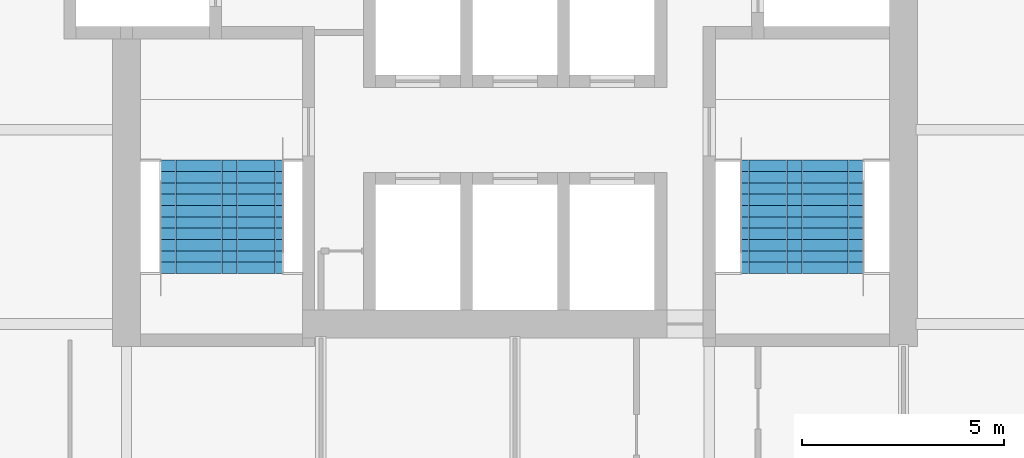
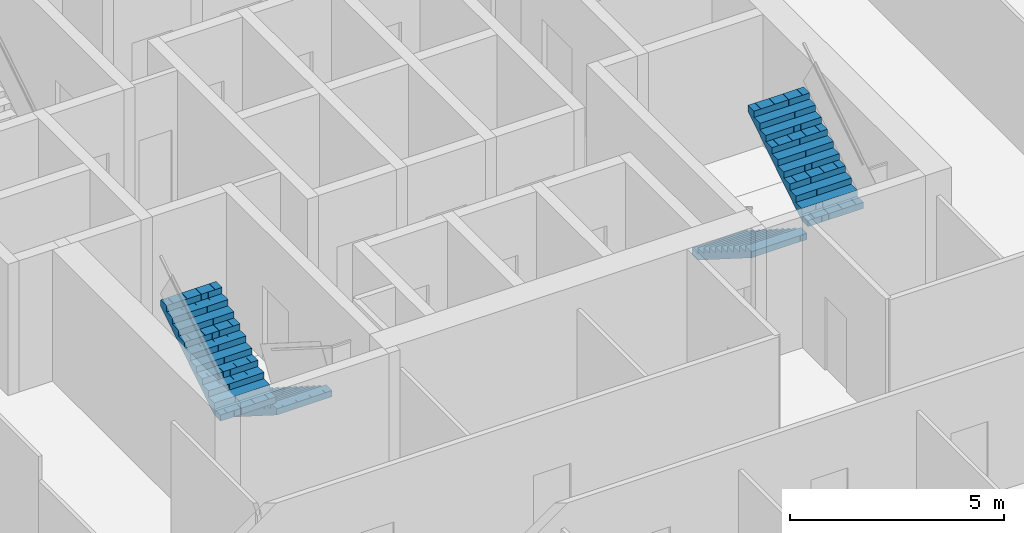
# One storey, part 12 of 15: 4 stair flights, 2 elements without a shape of their own.
"""IFC4 building model written with IfcOpenShell, lengths in metres."""

from ifc_helpers import new_model, si_unit, direction, frame, origin, place, context, subcontext, project, spatial, polyline, outline, extrude, material, type_object, element, aggregate, save


model = new_model("IFC4")

# Units and contexts
model_context = context("Model", 3, precision=1e-05, world=origin(), true_north=direction((0.0, 1.0)))
body_context = subcontext(model_context, "Body", "Model", "MODEL_VIEW")
ifc_project = project(units=[si_unit("LENGTHUNIT", "METRE"), si_unit("AREAUNIT", "SQUARE_METRE"), si_unit("VOLUMEUNIT", "CUBIC_METRE"), si_unit("PLANEANGLEUNIT", "RADIAN"), si_unit("MASSUNIT", "GRAM", prefix="KILO")], contexts=[model_context])

# Site, building, storey
site_placement = place(None, origin())
site = spatial("IfcSite", under=ifc_project, at=site_placement, CompositionType="ELEMENT")
building_placement = place(site_placement, origin())
building = spatial("IfcBuilding", under=site, at=building_placement, Name="Kolab Exchange Tower", CompositionType="ELEMENT")
storey_placement = place(building_placement, frame((0.0, 0.0, 138.800048828125)))
storey = spatial("IfcBuildingStorey", under=building, at=storey_placement, Name="L27", CompositionType="ELEMENT", Elevation=138.800048828125)

# Stair, stair flights
ifc_material = material(Name="Concrete C50/60", Category="concrete")
stair_type_1 = type_object("IfcStairType", Name="STAIR ST3 RISER 177.3", PredefinedType="HALF_TURN_STAIR", material=ifc_material)
stair_1_placement = place(storey_placement, origin())
stair_1 = element("IfcStair", 1, at=stair_1_placement, inside=storey, type_object=stair_type_1, Name="Stair 3", PredefinedType="HALF_TURN_STAIR")
stair_flight_type = type_object("IfcStairFlightType", Name="STAIR FLIGHT 1500 RISER 177.3", PredefinedType="STRAIGHT", material=ifc_material)
stair_flight_1_placement = place(storey_placement, frame((-6.489990234375, -5.550048828125, 0.0), z_axis=(0.0, 0.0, 1.0), x_axis=(0.0, -1.0, 0.0)))
stair_flight_1 = element("IfcStairFlight", 2, at=stair_flight_1_placement, type_object=stair_flight_type, Name="ST3 flight 1", NumberOfRisers=11, NumberOfTreads=10, PredefinedType="STRAIGHT", RiserHeight=0.177272727, TreadLength=0.28, context=body_context, shape_type="SweptSolid", body=[
    extrude(outline(polyline([(0.0, 0.0), (0.0, 0.17724609375), (0.280029296875, 0.17724609375), (0.280029296875, 0.3544921875), (0.56005859375, 0.3544921875), (0.56005859375, 0.53173828125), (0.840087890625, 0.53173828125), (0.840087890625, 0.708984375), (1.1201171875, 0.708984375), (1.1201171875, 0.886474609375), (1.39990234375, 0.886474609375), (1.39990234375, 1.063720703125), (1.679931640625, 1.063720703125), (1.679931640625, 1.240966796875), (1.9599609375, 1.240966796875), (1.9599609375, 1.418212890625), (2.239990234375, 1.418212890625), (2.239990234375, 1.595458984375), (2.52001953125, 1.595458984375), (2.52001953125, 1.772705078125), (2.800048828125, 1.772705078125), (2.800048828125, 1.949951171875), (2.800048828125, 1.59521484375), (0.2802734375, 0.0), (0.0, 0.0)])), frame((0.0, 0.75, 0.0), z_axis=(0.0, -1.0, 0.0), x_axis=(1.0, 0.0, 0.0)), (0.0, 0.0, 1.0), 0.185791015625),
    extrude(outline(polyline([(0.0, 0.0), (0.0, 0.17724609375), (0.280029296875, 0.17724609375), (0.280029296875, 0.3544921875), (0.56005859375, 0.3544921875), (0.56005859375, 0.53173828125), (0.840087890625, 0.53173828125), (0.840087890625, 0.708984375), (1.1201171875, 0.708984375), (1.1201171875, 0.886474609375), (1.39990234375, 0.886474609375), (1.39990234375, 1.063720703125), (1.679931640625, 1.063720703125), (1.679931640625, 1.240966796875), (1.9599609375, 1.240966796875), (1.9599609375, 1.418212890625), (2.239990234375, 1.418212890625), (2.239990234375, 1.595458984375), (2.52001953125, 1.595458984375), (2.52001953125, 1.772705078125), (2.800048828125, 1.772705078125), (2.800048828125, 1.949951171875), (2.800048828125, 1.59521484375), (0.2802734375, 0.0), (0.0, 0.0)])), frame((0.0, 0.562255859375, 0.0), z_axis=(0.0, -1.0, 0.0), x_axis=(1.0, 0.0, 0.0)), (0.0, 0.0, 1.0), 0.185791015625),
    extrude(outline(polyline([(0.0, 0.0), (0.0, 0.17724609375), (0.280029296875, 0.17724609375), (0.280029296875, 0.3544921875), (0.56005859375, 0.3544921875), (0.56005859375, 0.53173828125), (0.840087890625, 0.53173828125), (0.840087890625, 0.708984375), (1.1201171875, 0.708984375), (1.1201171875, 0.886474609375), (1.39990234375, 0.886474609375), (1.39990234375, 1.063720703125), (1.679931640625, 1.063720703125), (1.679931640625, 1.240966796875), (1.9599609375, 1.240966796875), (1.9599609375, 1.418212890625), (2.239990234375, 1.418212890625), (2.239990234375, 1.595458984375), (2.52001953125, 1.595458984375), (2.52001953125, 1.772705078125), (2.800048828125, 1.772705078125), (2.800048828125, 1.949951171875), (2.800048828125, 1.59521484375), (0.2802734375, 0.0), (0.0, 0.0)])), frame((0.0, 0.37451171875, 0.0), z_axis=(0.0, -1.0, 0.0), x_axis=(1.0, 0.0, 0.0)), (0.0, 0.0, 1.0), 0.185791015625),
    extrude(outline(polyline([(0.0, 0.0), (0.0, 0.17724609375), (0.280029296875, 0.17724609375), (0.280029296875, 0.3544921875), (0.56005859375, 0.3544921875), (0.56005859375, 0.53173828125), (0.840087890625, 0.53173828125), (0.840087890625, 0.708984375), (1.1201171875, 0.708984375), (1.1201171875, 0.886474609375), (1.39990234375, 0.886474609375), (1.39990234375, 1.063720703125), (1.679931640625, 1.063720703125), (1.679931640625, 1.240966796875), (1.9599609375, 1.240966796875), (1.9599609375, 1.418212890625), (2.239990234375, 1.418212890625), (2.239990234375, 1.595458984375), (2.52001953125, 1.595458984375), (2.52001953125, 1.772705078125), (2.800048828125, 1.772705078125), (2.800048828125, 1.949951171875), (2.800048828125, 1.59521484375), (0.2802734375, 0.0), (0.0, 0.0)])), frame((0.0, 0.186767578125, 0.0), z_axis=(0.0, -1.0, 0.0), x_axis=(1.0, 0.0, 0.0)), (0.0, 0.0, 1.0), 0.185791015625),
    extrude(outline(polyline([(0.0, 0.0), (0.0, 0.17724609375), (0.280029296875, 0.17724609375), (0.280029296875, 0.3544921875), (0.56005859375, 0.3544921875), (0.56005859375, 0.53173828125), (0.840087890625, 0.53173828125), (0.840087890625, 0.708984375), (1.1201171875, 0.708984375), (1.1201171875, 0.886474609375), (1.39990234375, 0.886474609375), (1.39990234375, 1.063720703125), (1.679931640625, 1.063720703125), (1.679931640625, 1.240966796875), (1.9599609375, 1.240966796875), (1.9599609375, 1.418212890625), (2.239990234375, 1.418212890625), (2.239990234375, 1.595458984375), (2.52001953125, 1.595458984375), (2.52001953125, 1.772705078125), (2.800048828125, 1.772705078125), (2.800048828125, 1.949951171875), (2.800048828125, 1.59521484375), (0.2802734375, 0.0), (0.0, 0.0)])), frame((0.0, -0.0009765625, 0.0), z_axis=(0.0, -1.0, 0.0), x_axis=(1.0, 0.0, 0.0)), (0.0, 0.0, 1.0), 0.185791015625),
    extrude(outline(polyline([(0.0, 0.0), (0.0, 0.17724609375), (0.280029296875, 0.17724609375), (0.280029296875, 0.3544921875), (0.56005859375, 0.3544921875), (0.56005859375, 0.53173828125), (0.840087890625, 0.53173828125), (0.840087890625, 0.708984375), (1.1201171875, 0.708984375), (1.1201171875, 0.886474609375), (1.39990234375, 0.886474609375), (1.39990234375, 1.063720703125), (1.679931640625, 1.063720703125), (1.679931640625, 1.240966796875), (1.9599609375, 1.240966796875), (1.9599609375, 1.418212890625), (2.239990234375, 1.418212890625), (2.239990234375, 1.595458984375), (2.52001953125, 1.595458984375), (2.52001953125, 1.772705078125), (2.800048828125, 1.772705078125), (2.800048828125, 1.949951171875), (2.800048828125, 1.59521484375), (0.2802734375, 0.0), (0.0, 0.0)])), frame((0.0, -0.188720703125, 0.0), z_axis=(0.0, -1.0, 0.0), x_axis=(1.0, 0.0, 0.0)), (0.0, 0.0, 1.0), 0.185791015625),
    extrude(outline(polyline([(0.0, 0.0), (0.0, 0.17724609375), (0.280029296875, 0.17724609375), (0.280029296875, 0.3544921875), (0.56005859375, 0.3544921875), (0.56005859375, 0.53173828125), (0.840087890625, 0.53173828125), (0.840087890625, 0.708984375), (1.1201171875, 0.708984375), (1.1201171875, 0.886474609375), (1.39990234375, 0.886474609375), (1.39990234375, 1.063720703125), (1.679931640625, 1.063720703125), (1.679931640625, 1.240966796875), (1.9599609375, 1.240966796875), (1.9599609375, 1.418212890625), (2.239990234375, 1.418212890625), (2.239990234375, 1.595458984375), (2.52001953125, 1.595458984375), (2.52001953125, 1.772705078125), (2.800048828125, 1.772705078125), (2.800048828125, 1.949951171875), (2.800048828125, 1.59521484375), (0.2802734375, 0.0), (0.0, 0.0)])), frame((0.0, -0.37646484375, 0.0), z_axis=(0.0, -1.0, 0.0), x_axis=(1.0, 0.0, 0.0)), (0.0, 0.0, 1.0), 0.185791015625),
    extrude(outline(polyline([(0.0, 0.0), (0.0, 0.17724609375), (0.280029296875, 0.17724609375), (0.280029296875, 0.3544921875), (0.56005859375, 0.3544921875), (0.56005859375, 0.53173828125), (0.840087890625, 0.53173828125), (0.840087890625, 0.708984375), (1.1201171875, 0.708984375), (1.1201171875, 0.886474609375), (1.39990234375, 0.886474609375), (1.39990234375, 1.063720703125), (1.679931640625, 1.063720703125), (1.679931640625, 1.240966796875), (1.9599609375, 1.240966796875), (1.9599609375, 1.418212890625), (2.239990234375, 1.418212890625), (2.239990234375, 1.595458984375), (2.52001953125, 1.595458984375), (2.52001953125, 1.772705078125), (2.800048828125, 1.772705078125), (2.800048828125, 1.949951171875), (2.800048828125, 1.59521484375), (0.2802734375, 0.0), (0.0, 0.0)])), frame((0.0, -0.564208984375, 0.0), z_axis=(0.0, -1.0, 0.0), x_axis=(1.0, 0.0, 0.0)), (0.0, 0.0, 1.0), 0.185791015625),
])
stair_flight_2_placement = place(storey_placement, frame((-8.010009765625, -8.35009765625, 1.949951171875), z_axis=(0.0, 0.0, 1.0), x_axis=(0.0, 1.0, 0.0)))
stair_flight_2 = element("IfcStairFlight", 3, at=stair_flight_2_placement, type_object=stair_flight_type, Name="ST3 flight 2", NumberOfRisers=11, NumberOfTreads=10, PredefinedType="STRAIGHT", RiserHeight=0.177272727, TreadLength=0.28, context=body_context, shape_type="SweptSolid", body=[
    extrude(outline(polyline([(0.0, 0.0), (0.0, 0.17724609375), (0.280029296875, 0.17724609375), (0.280029296875, 0.3544921875), (0.56005859375, 0.3544921875), (0.56005859375, 0.53173828125), (0.840087890625, 0.53173828125), (0.840087890625, 0.708984375), (1.1201171875, 0.708984375), (1.1201171875, 0.886474609375), (1.39990234375, 0.886474609375), (1.39990234375, 1.063720703125), (1.679931640625, 1.063720703125), (1.679931640625, 1.240966796875), (1.9599609375, 1.240966796875), (1.9599609375, 1.418212890625), (2.239990234375, 1.418212890625), (2.239990234375, 1.595458984375), (2.52001953125, 1.595458984375), (2.52001953125, 1.772705078125), (2.800048828125, 1.772705078125), (2.800048828125, 1.949951171875), (2.800048828125, 1.59521484375), (0.2802734375, 0.0), (0.0, 0.0)])), frame((0.0, 0.75, 0.0), z_axis=(0.0, -1.0, 0.0), x_axis=(1.0, 0.0, 0.0)), (0.0, 0.0, 1.0), 0.185791015625),
    extrude(outline(polyline([(0.0, 0.0), (0.0, 0.17724609375), (0.280029296875, 0.17724609375), (0.280029296875, 0.3544921875), (0.56005859375, 0.3544921875), (0.56005859375, 0.53173828125), (0.840087890625, 0.53173828125), (0.840087890625, 0.708984375), (1.1201171875, 0.708984375), (1.1201171875, 0.886474609375), (1.39990234375, 0.886474609375), (1.39990234375, 1.063720703125), (1.679931640625, 1.063720703125), (1.679931640625, 1.240966796875), (1.9599609375, 1.240966796875), (1.9599609375, 1.418212890625), (2.239990234375, 1.418212890625), (2.239990234375, 1.595458984375), (2.52001953125, 1.595458984375), (2.52001953125, 1.772705078125), (2.800048828125, 1.772705078125), (2.800048828125, 1.949951171875), (2.800048828125, 1.59521484375), (0.2802734375, 0.0), (0.0, 0.0)])), frame((0.0, 0.562255859375, 0.0), z_axis=(0.0, -1.0, 0.0), x_axis=(1.0, 0.0, 0.0)), (0.0, 0.0, 1.0), 0.185791015625),
    extrude(outline(polyline([(0.0, 0.0), (0.0, 0.17724609375), (0.280029296875, 0.17724609375), (0.280029296875, 0.3544921875), (0.56005859375, 0.3544921875), (0.56005859375, 0.53173828125), (0.840087890625, 0.53173828125), (0.840087890625, 0.708984375), (1.1201171875, 0.708984375), (1.1201171875, 0.886474609375), (1.39990234375, 0.886474609375), (1.39990234375, 1.063720703125), (1.679931640625, 1.063720703125), (1.679931640625, 1.240966796875), (1.9599609375, 1.240966796875), (1.9599609375, 1.418212890625), (2.239990234375, 1.418212890625), (2.239990234375, 1.595458984375), (2.52001953125, 1.595458984375), (2.52001953125, 1.772705078125), (2.800048828125, 1.772705078125), (2.800048828125, 1.949951171875), (2.800048828125, 1.59521484375), (0.2802734375, 0.0), (0.0, 0.0)])), frame((0.0, 0.37451171875, 0.0), z_axis=(0.0, -1.0, 0.0), x_axis=(1.0, 0.0, 0.0)), (0.0, 0.0, 1.0), 0.185791015625),
    extrude(outline(polyline([(0.0, 0.0), (0.0, 0.17724609375), (0.280029296875, 0.17724609375), (0.280029296875, 0.3544921875), (0.56005859375, 0.3544921875), (0.56005859375, 0.53173828125), (0.840087890625, 0.53173828125), (0.840087890625, 0.708984375), (1.1201171875, 0.708984375), (1.1201171875, 0.886474609375), (1.39990234375, 0.886474609375), (1.39990234375, 1.063720703125), (1.679931640625, 1.063720703125), (1.679931640625, 1.240966796875), (1.9599609375, 1.240966796875), (1.9599609375, 1.418212890625), (2.239990234375, 1.418212890625), (2.239990234375, 1.595458984375), (2.52001953125, 1.595458984375), (2.52001953125, 1.772705078125), (2.800048828125, 1.772705078125), (2.800048828125, 1.949951171875), (2.800048828125, 1.59521484375), (0.2802734375, 0.0), (0.0, 0.0)])), frame((0.0, 0.186767578125, 0.0), z_axis=(0.0, -1.0, 0.0), x_axis=(1.0, 0.0, 0.0)), (0.0, 0.0, 1.0), 0.185791015625),
    extrude(outline(polyline([(0.0, 0.0), (0.0, 0.17724609375), (0.280029296875, 0.17724609375), (0.280029296875, 0.3544921875), (0.56005859375, 0.3544921875), (0.56005859375, 0.53173828125), (0.840087890625, 0.53173828125), (0.840087890625, 0.708984375), (1.1201171875, 0.708984375), (1.1201171875, 0.886474609375), (1.39990234375, 0.886474609375), (1.39990234375, 1.063720703125), (1.679931640625, 1.063720703125), (1.679931640625, 1.240966796875), (1.9599609375, 1.240966796875), (1.9599609375, 1.418212890625), (2.239990234375, 1.418212890625), (2.239990234375, 1.595458984375), (2.52001953125, 1.595458984375), (2.52001953125, 1.772705078125), (2.800048828125, 1.772705078125), (2.800048828125, 1.949951171875), (2.800048828125, 1.59521484375), (0.2802734375, 0.0), (0.0, 0.0)])), frame((0.0, -0.0009765625, 0.0), z_axis=(0.0, -1.0, 0.0), x_axis=(1.0, 0.0, 0.0)), (0.0, 0.0, 1.0), 0.185791015625),
    extrude(outline(polyline([(0.0, 0.0), (0.0, 0.17724609375), (0.280029296875, 0.17724609375), (0.280029296875, 0.3544921875), (0.56005859375, 0.3544921875), (0.56005859375, 0.53173828125), (0.840087890625, 0.53173828125), (0.840087890625, 0.708984375), (1.1201171875, 0.708984375), (1.1201171875, 0.886474609375), (1.39990234375, 0.886474609375), (1.39990234375, 1.063720703125), (1.679931640625, 1.063720703125), (1.679931640625, 1.240966796875), (1.9599609375, 1.240966796875), (1.9599609375, 1.418212890625), (2.239990234375, 1.418212890625), (2.239990234375, 1.595458984375), (2.52001953125, 1.595458984375), (2.52001953125, 1.772705078125), (2.800048828125, 1.772705078125), (2.800048828125, 1.949951171875), (2.800048828125, 1.59521484375), (0.2802734375, 0.0), (0.0, 0.0)])), frame((0.0, -0.188720703125, 0.0), z_axis=(0.0, -1.0, 0.0), x_axis=(1.0, 0.0, 0.0)), (0.0, 0.0, 1.0), 0.185791015625),
    extrude(outline(polyline([(0.0, 0.0), (0.0, 0.17724609375), (0.280029296875, 0.17724609375), (0.280029296875, 0.3544921875), (0.56005859375, 0.3544921875), (0.56005859375, 0.53173828125), (0.840087890625, 0.53173828125), (0.840087890625, 0.708984375), (1.1201171875, 0.708984375), (1.1201171875, 0.886474609375), (1.39990234375, 0.886474609375), (1.39990234375, 1.063720703125), (1.679931640625, 1.063720703125), (1.679931640625, 1.240966796875), (1.9599609375, 1.240966796875), (1.9599609375, 1.418212890625), (2.239990234375, 1.418212890625), (2.239990234375, 1.595458984375), (2.52001953125, 1.595458984375), (2.52001953125, 1.772705078125), (2.800048828125, 1.772705078125), (2.800048828125, 1.949951171875), (2.800048828125, 1.59521484375), (0.2802734375, 0.0), (0.0, 0.0)])), frame((0.0, -0.37646484375, 0.0), z_axis=(0.0, -1.0, 0.0), x_axis=(1.0, 0.0, 0.0)), (0.0, 0.0, 1.0), 0.185791015625),
    extrude(outline(polyline([(0.0, 0.0), (0.0, 0.17724609375), (0.280029296875, 0.17724609375), (0.280029296875, 0.3544921875), (0.56005859375, 0.3544921875), (0.56005859375, 0.53173828125), (0.840087890625, 0.53173828125), (0.840087890625, 0.708984375), (1.1201171875, 0.708984375), (1.1201171875, 0.886474609375), (1.39990234375, 0.886474609375), (1.39990234375, 1.063720703125), (1.679931640625, 1.063720703125), (1.679931640625, 1.240966796875), (1.9599609375, 1.240966796875), (1.9599609375, 1.418212890625), (2.239990234375, 1.418212890625), (2.239990234375, 1.595458984375), (2.52001953125, 1.595458984375), (2.52001953125, 1.772705078125), (2.800048828125, 1.772705078125), (2.800048828125, 1.949951171875), (2.800048828125, 1.59521484375), (0.2802734375, 0.0), (0.0, 0.0)])), frame((0.0, -0.564208984375, 0.0), z_axis=(0.0, -1.0, 0.0), x_axis=(1.0, 0.0, 0.0)), (0.0, 0.0, 1.0), 0.185791015625),
])
aggregate(stair_1, [stair_flight_1, stair_flight_2])

stair_type_2 = type_object("IfcStairType", Name="STAIR ST2 RISER 177.3", PredefinedType="HALF_TURN_STAIR", material=ifc_material)
stair_2_placement = place(storey_placement, origin())
stair_2 = element("IfcStair", 4, at=stair_2_placement, inside=storey, type_object=stair_type_2, Name="Stair 2", PredefinedType="HALF_TURN_STAIR")
stair_flight_3_placement = place(storey_placement, frame((6.340087890625, -5.550048828125, 0.0), z_axis=(0.0, 0.0, 1.0), x_axis=(0.0, -1.0, 0.0)))
stair_flight_3 = element("IfcStairFlight", 5, at=stair_flight_3_placement, type_object=stair_flight_type, Name="ST2 flight 1", NumberOfRisers=11, NumberOfTreads=10, PredefinedType="STRAIGHT", RiserHeight=0.177272727, TreadLength=0.28, context=body_context, shape_type="SweptSolid", body=[
    extrude(outline(polyline([(0.0, 0.0), (0.0, 0.17724609375), (0.280029296875, 0.17724609375), (0.280029296875, 0.3544921875), (0.56005859375, 0.3544921875), (0.56005859375, 0.53173828125), (0.840087890625, 0.53173828125), (0.840087890625, 0.708984375), (1.1201171875, 0.708984375), (1.1201171875, 0.886474609375), (1.39990234375, 0.886474609375), (1.39990234375, 1.063720703125), (1.679931640625, 1.063720703125), (1.679931640625, 1.240966796875), (1.9599609375, 1.240966796875), (1.9599609375, 1.418212890625), (2.239990234375, 1.418212890625), (2.239990234375, 1.595458984375), (2.52001953125, 1.595458984375), (2.52001953125, 1.772705078125), (2.800048828125, 1.772705078125), (2.800048828125, 1.949951171875), (2.800048828125, 1.59521484375), (0.2802734375, 0.0), (0.0, 0.0)])), frame((0.0, 0.75, 0.0), z_axis=(0.0, -1.0, 0.0), x_axis=(1.0, 0.0, 0.0)), (0.0, 0.0, 1.0), 0.185791015625),
    extrude(outline(polyline([(0.0, 0.0), (0.0, 0.17724609375), (0.280029296875, 0.17724609375), (0.280029296875, 0.3544921875), (0.56005859375, 0.3544921875), (0.56005859375, 0.53173828125), (0.840087890625, 0.53173828125), (0.840087890625, 0.708984375), (1.1201171875, 0.708984375), (1.1201171875, 0.886474609375), (1.39990234375, 0.886474609375), (1.39990234375, 1.063720703125), (1.679931640625, 1.063720703125), (1.679931640625, 1.240966796875), (1.9599609375, 1.240966796875), (1.9599609375, 1.418212890625), (2.239990234375, 1.418212890625), (2.239990234375, 1.595458984375), (2.52001953125, 1.595458984375), (2.52001953125, 1.772705078125), (2.800048828125, 1.772705078125), (2.800048828125, 1.949951171875), (2.800048828125, 1.59521484375), (0.2802734375, 0.0), (0.0, 0.0)])), frame((0.0, 0.562255859375, 0.0), z_axis=(0.0, -1.0, 0.0), x_axis=(1.0, 0.0, 0.0)), (0.0, 0.0, 1.0), 0.185791015625),
    extrude(outline(polyline([(0.0, 0.0), (0.0, 0.17724609375), (0.280029296875, 0.17724609375), (0.280029296875, 0.3544921875), (0.56005859375, 0.3544921875), (0.56005859375, 0.53173828125), (0.840087890625, 0.53173828125), (0.840087890625, 0.708984375), (1.1201171875, 0.708984375), (1.1201171875, 0.886474609375), (1.39990234375, 0.886474609375), (1.39990234375, 1.063720703125), (1.679931640625, 1.063720703125), (1.679931640625, 1.240966796875), (1.9599609375, 1.240966796875), (1.9599609375, 1.418212890625), (2.239990234375, 1.418212890625), (2.239990234375, 1.595458984375), (2.52001953125, 1.595458984375), (2.52001953125, 1.772705078125), (2.800048828125, 1.772705078125), (2.800048828125, 1.949951171875), (2.800048828125, 1.59521484375), (0.2802734375, 0.0), (0.0, 0.0)])), frame((0.0, 0.37451171875, 0.0), z_axis=(0.0, -1.0, 0.0), x_axis=(1.0, 0.0, 0.0)), (0.0, 0.0, 1.0), 0.185791015625),
    extrude(outline(polyline([(0.0, 0.0), (0.0, 0.17724609375), (0.280029296875, 0.17724609375), (0.280029296875, 0.3544921875), (0.56005859375, 0.3544921875), (0.56005859375, 0.53173828125), (0.840087890625, 0.53173828125), (0.840087890625, 0.708984375), (1.1201171875, 0.708984375), (1.1201171875, 0.886474609375), (1.39990234375, 0.886474609375), (1.39990234375, 1.063720703125), (1.679931640625, 1.063720703125), (1.679931640625, 1.240966796875), (1.9599609375, 1.240966796875), (1.9599609375, 1.418212890625), (2.239990234375, 1.418212890625), (2.239990234375, 1.595458984375), (2.52001953125, 1.595458984375), (2.52001953125, 1.772705078125), (2.800048828125, 1.772705078125), (2.800048828125, 1.949951171875), (2.800048828125, 1.59521484375), (0.2802734375, 0.0), (0.0, 0.0)])), frame((0.0, 0.186767578125, 0.0), z_axis=(0.0, -1.0, 0.0), x_axis=(1.0, 0.0, 0.0)), (0.0, 0.0, 1.0), 0.185791015625),
    extrude(outline(polyline([(0.0, 0.0), (0.0, 0.17724609375), (0.280029296875, 0.17724609375), (0.280029296875, 0.3544921875), (0.56005859375, 0.3544921875), (0.56005859375, 0.53173828125), (0.840087890625, 0.53173828125), (0.840087890625, 0.708984375), (1.1201171875, 0.708984375), (1.1201171875, 0.886474609375), (1.39990234375, 0.886474609375), (1.39990234375, 1.063720703125), (1.679931640625, 1.063720703125), (1.679931640625, 1.240966796875), (1.9599609375, 1.240966796875), (1.9599609375, 1.418212890625), (2.239990234375, 1.418212890625), (2.239990234375, 1.595458984375), (2.52001953125, 1.595458984375), (2.52001953125, 1.772705078125), (2.800048828125, 1.772705078125), (2.800048828125, 1.949951171875), (2.800048828125, 1.59521484375), (0.2802734375, 0.0), (0.0, 0.0)])), frame((0.0, -0.0009765625, 0.0), z_axis=(0.0, -1.0, 0.0), x_axis=(1.0, 0.0, 0.0)), (0.0, 0.0, 1.0), 0.185791015625),
    extrude(outline(polyline([(0.0, 0.0), (0.0, 0.17724609375), (0.280029296875, 0.17724609375), (0.280029296875, 0.3544921875), (0.56005859375, 0.3544921875), (0.56005859375, 0.53173828125), (0.840087890625, 0.53173828125), (0.840087890625, 0.708984375), (1.1201171875, 0.708984375), (1.1201171875, 0.886474609375), (1.39990234375, 0.886474609375), (1.39990234375, 1.063720703125), (1.679931640625, 1.063720703125), (1.679931640625, 1.240966796875), (1.9599609375, 1.240966796875), (1.9599609375, 1.418212890625), (2.239990234375, 1.418212890625), (2.239990234375, 1.595458984375), (2.52001953125, 1.595458984375), (2.52001953125, 1.772705078125), (2.800048828125, 1.772705078125), (2.800048828125, 1.949951171875), (2.800048828125, 1.59521484375), (0.2802734375, 0.0), (0.0, 0.0)])), frame((0.0, -0.188720703125, 0.0), z_axis=(0.0, -1.0, 0.0), x_axis=(1.0, 0.0, 0.0)), (0.0, 0.0, 1.0), 0.185791015625),
    extrude(outline(polyline([(0.0, 0.0), (0.0, 0.17724609375), (0.280029296875, 0.17724609375), (0.280029296875, 0.3544921875), (0.56005859375, 0.3544921875), (0.56005859375, 0.53173828125), (0.840087890625, 0.53173828125), (0.840087890625, 0.708984375), (1.1201171875, 0.708984375), (1.1201171875, 0.886474609375), (1.39990234375, 0.886474609375), (1.39990234375, 1.063720703125), (1.679931640625, 1.063720703125), (1.679931640625, 1.240966796875), (1.9599609375, 1.240966796875), (1.9599609375, 1.418212890625), (2.239990234375, 1.418212890625), (2.239990234375, 1.595458984375), (2.52001953125, 1.595458984375), (2.52001953125, 1.772705078125), (2.800048828125, 1.772705078125), (2.800048828125, 1.949951171875), (2.800048828125, 1.59521484375), (0.2802734375, 0.0), (0.0, 0.0)])), frame((0.0, -0.37646484375, 0.0), z_axis=(0.0, -1.0, 0.0), x_axis=(1.0, 0.0, 0.0)), (0.0, 0.0, 1.0), 0.185791015625),
    extrude(outline(polyline([(0.0, 0.0), (0.0, 0.17724609375), (0.280029296875, 0.17724609375), (0.280029296875, 0.3544921875), (0.56005859375, 0.3544921875), (0.56005859375, 0.53173828125), (0.840087890625, 0.53173828125), (0.840087890625, 0.708984375), (1.1201171875, 0.708984375), (1.1201171875, 0.886474609375), (1.39990234375, 0.886474609375), (1.39990234375, 1.063720703125), (1.679931640625, 1.063720703125), (1.679931640625, 1.240966796875), (1.9599609375, 1.240966796875), (1.9599609375, 1.418212890625), (2.239990234375, 1.418212890625), (2.239990234375, 1.595458984375), (2.52001953125, 1.595458984375), (2.52001953125, 1.772705078125), (2.800048828125, 1.772705078125), (2.800048828125, 1.949951171875), (2.800048828125, 1.59521484375), (0.2802734375, 0.0), (0.0, 0.0)])), frame((0.0, -0.564208984375, 0.0), z_axis=(0.0, -1.0, 0.0), x_axis=(1.0, 0.0, 0.0)), (0.0, 0.0, 1.0), 0.185791015625),
])
stair_flight_4_placement = place(storey_placement, frame((7.860107421875, -8.35009765625, 1.949951171875), z_axis=(0.0, 0.0, 1.0), x_axis=(0.0, 1.0, 0.0)))
stair_flight_4 = element("IfcStairFlight", 6, at=stair_flight_4_placement, type_object=stair_flight_type, Name="ST2 flight 2", NumberOfRisers=11, NumberOfTreads=10, PredefinedType="STRAIGHT", RiserHeight=0.177272727, TreadLength=0.28, context=body_context, shape_type="SweptSolid", body=[
    extrude(outline(polyline([(0.0, 0.0), (0.0, 0.17724609375), (0.280029296875, 0.17724609375), (0.280029296875, 0.3544921875), (0.56005859375, 0.3544921875), (0.56005859375, 0.53173828125), (0.840087890625, 0.53173828125), (0.840087890625, 0.708984375), (1.1201171875, 0.708984375), (1.1201171875, 0.886474609375), (1.39990234375, 0.886474609375), (1.39990234375, 1.063720703125), (1.679931640625, 1.063720703125), (1.679931640625, 1.240966796875), (1.9599609375, 1.240966796875), (1.9599609375, 1.418212890625), (2.239990234375, 1.418212890625), (2.239990234375, 1.595458984375), (2.52001953125, 1.595458984375), (2.52001953125, 1.772705078125), (2.800048828125, 1.772705078125), (2.800048828125, 1.949951171875), (2.800048828125, 1.59521484375), (0.2802734375, 0.0), (0.0, 0.0)])), frame((0.0, 0.75, 0.0), z_axis=(0.0, -1.0, 0.0), x_axis=(1.0, 0.0, 0.0)), (0.0, 0.0, 1.0), 0.185791015625),
    extrude(outline(polyline([(0.0, 0.0), (0.0, 0.17724609375), (0.280029296875, 0.17724609375), (0.280029296875, 0.3544921875), (0.56005859375, 0.3544921875), (0.56005859375, 0.53173828125), (0.840087890625, 0.53173828125), (0.840087890625, 0.708984375), (1.1201171875, 0.708984375), (1.1201171875, 0.886474609375), (1.39990234375, 0.886474609375), (1.39990234375, 1.063720703125), (1.679931640625, 1.063720703125), (1.679931640625, 1.240966796875), (1.9599609375, 1.240966796875), (1.9599609375, 1.418212890625), (2.239990234375, 1.418212890625), (2.239990234375, 1.595458984375), (2.52001953125, 1.595458984375), (2.52001953125, 1.772705078125), (2.800048828125, 1.772705078125), (2.800048828125, 1.949951171875), (2.800048828125, 1.59521484375), (0.2802734375, 0.0), (0.0, 0.0)])), frame((0.0, 0.562255859375, 0.0), z_axis=(0.0, -1.0, 0.0), x_axis=(1.0, 0.0, 0.0)), (0.0, 0.0, 1.0), 0.185791015625),
    extrude(outline(polyline([(0.0, 0.0), (0.0, 0.17724609375), (0.280029296875, 0.17724609375), (0.280029296875, 0.3544921875), (0.56005859375, 0.3544921875), (0.56005859375, 0.53173828125), (0.840087890625, 0.53173828125), (0.840087890625, 0.708984375), (1.1201171875, 0.708984375), (1.1201171875, 0.886474609375), (1.39990234375, 0.886474609375), (1.39990234375, 1.063720703125), (1.679931640625, 1.063720703125), (1.679931640625, 1.240966796875), (1.9599609375, 1.240966796875), (1.9599609375, 1.418212890625), (2.239990234375, 1.418212890625), (2.239990234375, 1.595458984375), (2.52001953125, 1.595458984375), (2.52001953125, 1.772705078125), (2.800048828125, 1.772705078125), (2.800048828125, 1.949951171875), (2.800048828125, 1.59521484375), (0.2802734375, 0.0), (0.0, 0.0)])), frame((0.0, 0.37451171875, 0.0), z_axis=(0.0, -1.0, 0.0), x_axis=(1.0, 0.0, 0.0)), (0.0, 0.0, 1.0), 0.185791015625),
    extrude(outline(polyline([(0.0, 0.0), (0.0, 0.17724609375), (0.280029296875, 0.17724609375), (0.280029296875, 0.3544921875), (0.56005859375, 0.3544921875), (0.56005859375, 0.53173828125), (0.840087890625, 0.53173828125), (0.840087890625, 0.708984375), (1.1201171875, 0.708984375), (1.1201171875, 0.886474609375), (1.39990234375, 0.886474609375), (1.39990234375, 1.063720703125), (1.679931640625, 1.063720703125), (1.679931640625, 1.240966796875), (1.9599609375, 1.240966796875), (1.9599609375, 1.418212890625), (2.239990234375, 1.418212890625), (2.239990234375, 1.595458984375), (2.52001953125, 1.595458984375), (2.52001953125, 1.772705078125), (2.800048828125, 1.772705078125), (2.800048828125, 1.949951171875), (2.800048828125, 1.59521484375), (0.2802734375, 0.0), (0.0, 0.0)])), frame((0.0, 0.186767578125, 0.0), z_axis=(0.0, -1.0, 0.0), x_axis=(1.0, 0.0, 0.0)), (0.0, 0.0, 1.0), 0.185791015625),
    extrude(outline(polyline([(0.0, 0.0), (0.0, 0.17724609375), (0.280029296875, 0.17724609375), (0.280029296875, 0.3544921875), (0.56005859375, 0.3544921875), (0.56005859375, 0.53173828125), (0.840087890625, 0.53173828125), (0.840087890625, 0.708984375), (1.1201171875, 0.708984375), (1.1201171875, 0.886474609375), (1.39990234375, 0.886474609375), (1.39990234375, 1.063720703125), (1.679931640625, 1.063720703125), (1.679931640625, 1.240966796875), (1.9599609375, 1.240966796875), (1.9599609375, 1.418212890625), (2.239990234375, 1.418212890625), (2.239990234375, 1.595458984375), (2.52001953125, 1.595458984375), (2.52001953125, 1.772705078125), (2.800048828125, 1.772705078125), (2.800048828125, 1.949951171875), (2.800048828125, 1.59521484375), (0.2802734375, 0.0), (0.0, 0.0)])), frame((0.0, -0.0009765625, 0.0), z_axis=(0.0, -1.0, 0.0), x_axis=(1.0, 0.0, 0.0)), (0.0, 0.0, 1.0), 0.185791015625),
    extrude(outline(polyline([(0.0, 0.0), (0.0, 0.17724609375), (0.280029296875, 0.17724609375), (0.280029296875, 0.3544921875), (0.56005859375, 0.3544921875), (0.56005859375, 0.53173828125), (0.840087890625, 0.53173828125), (0.840087890625, 0.708984375), (1.1201171875, 0.708984375), (1.1201171875, 0.886474609375), (1.39990234375, 0.886474609375), (1.39990234375, 1.063720703125), (1.679931640625, 1.063720703125), (1.679931640625, 1.240966796875), (1.9599609375, 1.240966796875), (1.9599609375, 1.418212890625), (2.239990234375, 1.418212890625), (2.239990234375, 1.595458984375), (2.52001953125, 1.595458984375), (2.52001953125, 1.772705078125), (2.800048828125, 1.772705078125), (2.800048828125, 1.949951171875), (2.800048828125, 1.59521484375), (0.2802734375, 0.0), (0.0, 0.0)])), frame((0.0, -0.188720703125, 0.0), z_axis=(0.0, -1.0, 0.0), x_axis=(1.0, 0.0, 0.0)), (0.0, 0.0, 1.0), 0.185791015625),
    extrude(outline(polyline([(0.0, 0.0), (0.0, 0.17724609375), (0.280029296875, 0.17724609375), (0.280029296875, 0.3544921875), (0.56005859375, 0.3544921875), (0.56005859375, 0.53173828125), (0.840087890625, 0.53173828125), (0.840087890625, 0.708984375), (1.1201171875, 0.708984375), (1.1201171875, 0.886474609375), (1.39990234375, 0.886474609375), (1.39990234375, 1.063720703125), (1.679931640625, 1.063720703125), (1.679931640625, 1.240966796875), (1.9599609375, 1.240966796875), (1.9599609375, 1.418212890625), (2.239990234375, 1.418212890625), (2.239990234375, 1.595458984375), (2.52001953125, 1.595458984375), (2.52001953125, 1.772705078125), (2.800048828125, 1.772705078125), (2.800048828125, 1.949951171875), (2.800048828125, 1.59521484375), (0.2802734375, 0.0), (0.0, 0.0)])), frame((0.0, -0.37646484375, 0.0), z_axis=(0.0, -1.0, 0.0), x_axis=(1.0, 0.0, 0.0)), (0.0, 0.0, 1.0), 0.185791015625),
    extrude(outline(polyline([(0.0, 0.0), (0.0, 0.17724609375), (0.280029296875, 0.17724609375), (0.280029296875, 0.3544921875), (0.56005859375, 0.3544921875), (0.56005859375, 0.53173828125), (0.840087890625, 0.53173828125), (0.840087890625, 0.708984375), (1.1201171875, 0.708984375), (1.1201171875, 0.886474609375), (1.39990234375, 0.886474609375), (1.39990234375, 1.063720703125), (1.679931640625, 1.063720703125), (1.679931640625, 1.240966796875), (1.9599609375, 1.240966796875), (1.9599609375, 1.418212890625), (2.239990234375, 1.418212890625), (2.239990234375, 1.595458984375), (2.52001953125, 1.595458984375), (2.52001953125, 1.772705078125), (2.800048828125, 1.772705078125), (2.800048828125, 1.949951171875), (2.800048828125, 1.59521484375), (0.2802734375, 0.0), (0.0, 0.0)])), frame((0.0, -0.564208984375, 0.0), z_axis=(0.0, -1.0, 0.0), x_axis=(1.0, 0.0, 0.0)), (0.0, 0.0, 1.0), 0.185791015625),
])
aggregate(stair_2, [stair_flight_3, stair_flight_4])

save(model, "model.ifc")
